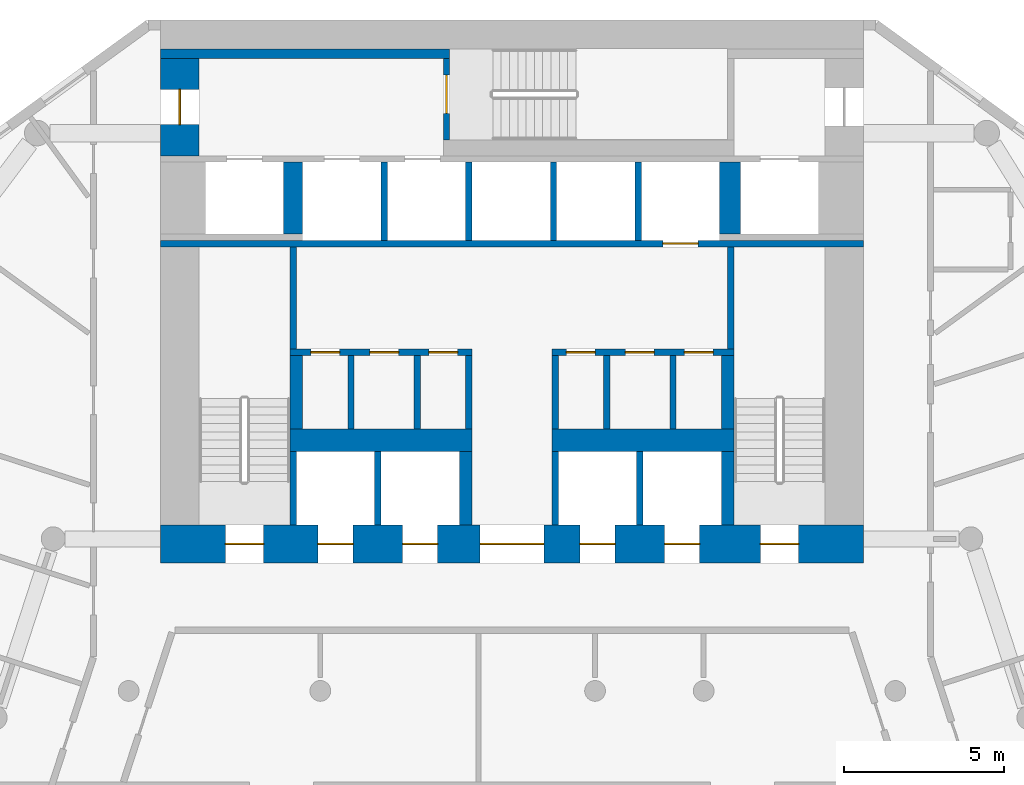
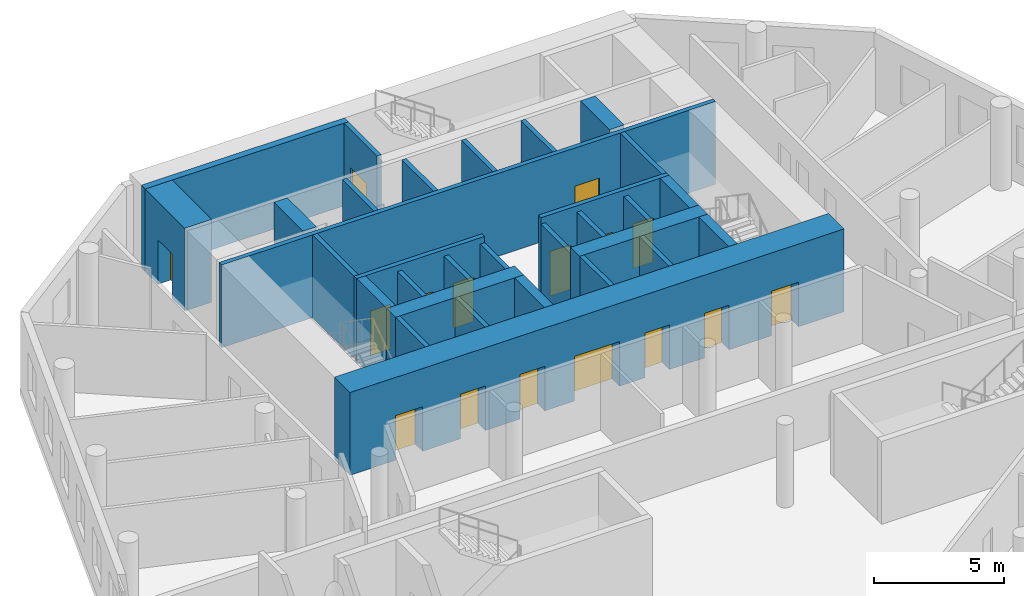
# One storey, part 5 of 9: 31 walls, 16 doors, 16 openings.
"""IFC4 building model written with IfcOpenShell, lengths in metres."""

from ifc_helpers import new_model, si_unit, direction, frame, frame_2d, origin, place, context, subcontext, project, spatial, rectangle, extrude, material, layer, layer_set, type_object, element, fill, save


model = new_model("IFC4")

# Units and contexts
model_context = context("Model", 3, precision=1e-05, world=origin(), true_north=direction((0.0, 1.0)))
body_context = subcontext(model_context, "Body", "Model", "MODEL_VIEW")
ifc_project = project(units=[si_unit("LENGTHUNIT", "METRE"), si_unit("AREAUNIT", "SQUARE_METRE"), si_unit("VOLUMEUNIT", "CUBIC_METRE"), si_unit("PLANEANGLEUNIT", "RADIAN"), si_unit("MASSUNIT", "GRAM", prefix="KILO")], contexts=[model_context])

# Site, building, storey
site_placement = place(None, origin())
site = spatial("IfcSite", under=ifc_project, at=site_placement, CompositionType="ELEMENT")
building_placement = place(site_placement, origin())
building = spatial("IfcBuilding", under=site, at=building_placement, Name="White Candle Pilgrim Tower", CompositionType="ELEMENT")
storey_placement = place(building_placement, frame((0.0, 0.0, 81.89990234375)))
storey = spatial("IfcBuildingStorey", under=building, at=storey_placement, Name="L17", CompositionType="ELEMENT", Elevation=81.89990234375)

# Wall, opening, door
ifc_material_1 = material(Name="Concrete C70/85", Category="concrete")
ifc_layer_1 = layer(ifc_material_1, 1.199951171875)
ifc_layer_set_1 = layer_set([ifc_layer_1], Name="Core wall 1200 mm Concrete C70/85")
wall_type_1 = type_object("IfcWallType", Name="Core wall 1200 mm Concrete C70/85", PredefinedType="SHEAR", material=ifc_layer_set_1)
wall_1_placement = place(storey_placement, frame((59.60009765625, 83.75, 0.0), z_axis=(0.0, 0.0, 1.0), x_axis=(0.0, 1.0, 0.0)))
wall_1 = element("IfcWall", 1, at=wall_1_placement, inside=storey, type_object=wall_type_1, Name="WL-L17-C46", PredefinedType="SHEAR", context=body_context, shape_type="SweptSolid", body=[
    extrude(rectangle(XDim=3.050048828125, YDim=1.199951171875, at=frame_2d((1.52490234375, 0.0))), origin(), (0.0, 0.0, 1.0), 3.900146484375),
])
opening_1_placement = place(wall_1_placement, frame((0.97509765625, 0.0, 0.0)))
opening_1 = element("IfcOpeningElement", 2, at=opening_1_placement, cuts=wall_1, Name="Opening T05-005", PredefinedType="OPENING", context=body_context, shape_type="SweptSolid", body=[
    extrude(rectangle(XDim=1.10009765625, YDim=2.10009765625, at=frame_2d((0.550048828125, 1.050048828125))), frame((0.0, 0.60986328125, 0.0), z_axis=(0.0, -1.0, 0.0), x_axis=(1.0, 0.0, 0.0)), (0.0, 0.0, 1.0), 1.219970703125),
])
ifc_material_2 = material(Name="Steel door leaf", Category="steel")
door_type_1 = type_object("IfcDoorType", Name="Fire door 1100 x 2100 EI 60", OperationType="NOTDEFINED", PredefinedType="DOOR", material=ifc_material_2)
door_1_placement = place(opening_1_placement, origin())
door_1 = element("IfcDoor", 3, at=door_1_placement, inside=storey, type_object=door_type_1, Name="Door T05-005", OperationType="SINGLE_SWING_LEFT", OverallHeight=2.10009765625, OverallWidth=1.10009765625, PredefinedType="DOOR", context=body_context, shape_type="SweptSolid", body=[
    extrude(rectangle(XDim=1.10009765625, YDim=2.10009765625, at=frame_2d((0.550048828125, 1.050048828125))), frame((0.0, 0.02490234375, 0.0), z_axis=(0.0, -1.0, 0.0), x_axis=(1.0, 0.0, 0.0)), (0.0, 0.0, 1.0), 0.050048828125),
])
fill(opening_1, door_1)

# Walls
ifc_material_3 = material(Name="Gypsum board on steel studs", Category="steel")
ifc_layer_2 = layer(ifc_material_3, 0.199951171875)
ifc_layer_set_2 = layer_set([ifc_layer_2], Name="Lobby wall 200 mm EI 60")
wall_type_2 = type_object("IfcWallType", Name="Lobby wall 200 mm EI 60", PredefinedType="PARTITIONING", material=ifc_layer_set_2)
for number, where, z_axis, x_axis, name in (
    (4, (64.9599609375, 75.199951171875, 0.0), (0.0, 0.0, 1.0), (0.0, 1.0, 0.0), "WL-L17-C23"),
    (5, (67.0400390625, 75.199951171875, 0.0), (0.0, 0.0, 1.0), (0.0, 1.0, 0.0), "WL-L17-C24"),
    (6, (68.64990234375, 75.199951171875, 0.0), (0.0, 0.0, 1.0), (0.0, 1.0, 0.0), "WL-L17-C25"),
    (7, (71.35009765625, 75.199951171875, 0.0), (0.0, 0.0, 1.0), (0.0, 1.0, 0.0), "WL-L17-C26"),
    (8, (72.9599609375, 75.199951171875, 0.0), (0.0, 0.0, 1.0), (0.0, 1.0, 0.0), "WL-L17-C27"),
    (9, (75.0400390625, 75.199951171875, 0.0), (0.0, 0.0, 1.0), (0.0, 1.0, 0.0), "WL-L17-C28"),
):
    element("IfcWall", number, at=place(storey_placement, frame(where, z_axis=z_axis, x_axis=x_axis)), inside=storey, type_object=wall_type_2, Name=name, PredefinedType="PARTITIONING", context=body_context, shape_type="SweptSolid", body=[
        extrude(rectangle(XDim=2.300048828125, YDim=0.199951171875, at=frame_2d((1.14990234375, 0.0))), origin(), (0.0, 0.0, 1.0), 3.60009765625),
    ])
ifc_layer_3 = layer(ifc_material_1, 0.199951171875)
ifc_layer_set_3 = layer_set([ifc_layer_3], Name="Shaft wall 200 mm Concrete C70/85")
wall_type_3 = type_object("IfcWallType", Name="Shaft wall 200 mm Concrete C70/85", PredefinedType="SHEAR", material=ifc_layer_set_3)
for number, where, z_axis, x_axis, name in (
    (10, (65.800048828125, 72.199951171875, 0.0), (0.0, 0.0, 1.0), (0.0, 1.0, 0.0), "WL-L17-C14"),
    (11, (71.35009765625, 72.199951171875, 0.0), (0.0, 0.0, 1.0), (0.0, 1.0, 0.0), "WL-L17-C16"),
    (12, (74.0, 72.199951171875, 0.0), (0.0, 0.0, 1.0), (0.0, 1.0, 0.0), "WL-L17-C17"),
):
    element("IfcWall", number, at=place(storey_placement, frame(where, z_axis=z_axis, x_axis=x_axis)), inside=storey, type_object=wall_type_3, Name=name, PredefinedType="SHEAR", context=body_context, shape_type="SweptSolid", body=[
        extrude(rectangle(XDim=2.300048828125, YDim=0.199951171875, at=frame_2d((1.14990234375, 0.0))), origin(), (0.0, 0.0, 1.0), 3.900146484375),
    ])
for number, where, z_axis, x_axis, name in (
    (13, (66.0, 81.10009765625, 0.0), (0.0, 0.0, 1.0), (0.0, 1.0, 0.0), "WL-L17-C36"),
    (14, (68.64990234375, 81.10009765625, 0.0), (0.0, 0.0, 1.0), (0.0, 1.0, 0.0), "WL-L17-C37"),
    (15, (71.300048828125, 81.10009765625, 0.0), (0.0, 0.0, 1.0), (0.0, 1.0, 0.0), "WL-L17-C38"),
    (16, (73.949951171875, 81.10009765625, 0.0), (0.0, 0.0, 1.0), (0.0, 1.0, 0.0), "WL-L17-C39"),
):
    element("IfcWall", number, at=place(storey_placement, frame(where, z_axis=z_axis, x_axis=x_axis)), inside=storey, type_object=wall_type_3, Name=name, PredefinedType="SHEAR", context=body_context, shape_type="SweptSolid", body=[
        extrude(rectangle(XDim=2.449951171875, YDim=0.199951171875, at=frame_2d((1.22509765625, 0.0))), origin(), (0.0, 0.0, 1.0), 3.900146484375),
    ])
ifc_layer_4 = layer(ifc_material_1, 0.39990234375)
ifc_layer_set_4 = layer_set([ifc_layer_4], Name="Shaft wall 400 mm Concrete C70/85")
wall_type_4 = type_object("IfcWallType", Name="Shaft wall 400 mm Concrete C70/85", PredefinedType="SHEAR", material=ifc_layer_set_4)
wall_2_placement = place(storey_placement, frame((68.550048828125, 72.199951171875, 0.0), z_axis=(0.0, 0.0, 1.0), x_axis=(0.0, 1.0, 0.0)))
element("IfcWall", 17, at=wall_2_placement, inside=storey, type_object=wall_type_4, Name="WL-L17-C15", PredefinedType="SHEAR", context=body_context, shape_type="SweptSolid", body=[
    extrude(rectangle(XDim=2.300048828125, YDim=0.39990234375, at=frame_2d((1.14990234375, 0.0))), origin(), (0.0, 0.0, 1.0), 3.900146484375),
])
ifc_layer_5 = layer(ifc_material_1, 0.60009765625)
ifc_layer_set_5 = layer_set([ifc_layer_5], Name="Shaft wall 600 mm Concrete C70/85")
wall_type_5 = type_object("IfcWallType", Name="Shaft wall 600 mm Concrete C70/85", PredefinedType="SHEAR", material=ifc_layer_set_5)
wall_3_placement = place(storey_placement, frame((63.14990234375, 81.300048828125, 0.0), z_axis=(0.0, 0.0, 1.0), x_axis=(0.0, 1.0, 0.0)))
element("IfcWall", 18, at=wall_3_placement, inside=storey, type_object=wall_type_5, Name="WL-L17-C42", PredefinedType="SHEAR", context=body_context, shape_type="SweptSolid", body=[
    extrude(rectangle(XDim=2.25, YDim=0.60009765625, at=frame_2d((1.125, 0.0))), origin(), (0.0, 0.0, 1.0), 3.900146484375),
])
ifc_layer_6 = layer(ifc_material_1, 0.64990234375)
ifc_layer_set_6 = layer_set([ifc_layer_6], Name="Shaft wall 650 mm Concrete C70/85")
wall_type_6 = type_object("IfcWallType", Name="Shaft wall 650 mm Concrete C70/85", PredefinedType="SHEAR", material=ifc_layer_set_6)
wall_4_placement = place(storey_placement, frame((76.824951171875, 81.300048828125, 0.0), z_axis=(0.0, 0.0, 1.0), x_axis=(0.0, 1.0, 0.0)))
element("IfcWall", 19, at=wall_4_placement, inside=storey, type_object=wall_type_6, Name="WL-L17-C43", PredefinedType="SHEAR", context=body_context, shape_type="SweptSolid", body=[
    extrude(rectangle(XDim=2.25, YDim=0.64990234375, at=frame_2d((1.125, 0.0))), origin(), (0.0, 0.0, 1.0), 3.900146484375),
])

# Wall, openings, doors
ifc_layer_7 = layer(ifc_material_1, 1.199951171875)
ifc_layer_set_7 = layer_set([ifc_layer_7], Name="Stair shaft wall 1200 mm Concrete C70/85")
wall_type_7 = type_object("IfcWallType", Name="Stair shaft wall 1200 mm Concrete C70/85", PredefinedType="SHEAR", material=ifc_layer_set_7)
wall_5_placement = place(storey_placement, frame((59.0, 71.60009765625, 0.0), z_axis=(0.0, 0.0, 1.0), x_axis=(1.0, 0.0, 0.0)))
wall_5 = element("IfcWall", 20, at=wall_5_placement, inside=storey, type_object=wall_type_7, Name="WL-L17-C11", PredefinedType="SHEAR", context=body_context, shape_type="SweptSolid", body=[
    extrude(rectangle(XDim=22.0, YDim=1.199951171875, at=frame_2d((11.0, 0.0))), origin(), (0.0, 0.0, 1.0), 3.900146484375),
])
opening_2_placement = place(wall_5_placement, frame((2.02490234375, 0.0, 0.0)))
opening_2 = element("IfcOpeningElement", 21, at=opening_2_placement, cuts=wall_5, Name="Opening T05-001", PredefinedType="OPENING", context=body_context, shape_type="SweptSolid", body=[
    extrude(rectangle(XDim=1.199951171875, YDim=2.10009765625, at=frame_2d((0.60009765625, 1.050048828125))), frame((0.0, 0.60986328125, 0.0), z_axis=(0.0, -1.0, 0.0), x_axis=(1.0, 0.0, 0.0)), (0.0, 0.0, 1.0), 1.219970703125),
])
opening_3_placement = place(wall_5_placement, frame((18.77490234375, 0.0, 0.0)))
opening_3 = element("IfcOpeningElement", 22, at=opening_3_placement, cuts=wall_5, Name="Opening T05-002", PredefinedType="OPENING", context=body_context, shape_type="SweptSolid", body=[
    extrude(rectangle(XDim=1.199951171875, YDim=2.10009765625, at=frame_2d((0.60009765625, 1.050048828125))), frame((0.0, 0.60986328125, 0.0), z_axis=(0.0, -1.0, 0.0), x_axis=(1.0, 0.0, 0.0)), (0.0, 0.0, 1.0), 1.219970703125),
])
opening_4_placement = place(wall_5_placement, frame((10.0, 0.0, 0.0)))
opening_4 = element("IfcOpeningElement", 23, at=opening_4_placement, cuts=wall_5, Name="Opening T05-004", PredefinedType="OPENING", context=body_context, shape_type="SweptSolid", body=[
    extrude(rectangle(XDim=2.0, YDim=2.10009765625, at=frame_2d((1.0, 1.050048828125))), frame((0.0, 0.60986328125, 0.0), z_axis=(0.0, -1.0, 0.0), x_axis=(1.0, 0.0, 0.0)), (0.0, 0.0, 1.0), 1.219970703125),
])
opening_5_placement = place(wall_5_placement, frame((4.925048828125, 0.0, 0.0)))
opening_5 = element("IfcOpeningElement", 24, at=opening_5_placement, cuts=wall_5, Name="Opening T05-014", PredefinedType="OPENING", context=body_context, shape_type="SweptSolid", body=[
    extrude(rectangle(XDim=1.10009765625, YDim=2.10009765625, at=frame_2d((0.550048828125, 1.050048828125))), frame((0.0, 0.60986328125, 0.0), z_axis=(0.0, -1.0, 0.0), x_axis=(1.0, 0.0, 0.0)), (0.0, 0.0, 1.0), 1.219970703125),
])
opening_6_placement = place(wall_5_placement, frame((7.574951171875, 0.0, 0.0)))
opening_6 = element("IfcOpeningElement", 25, at=opening_6_placement, cuts=wall_5, Name="Opening T05-015", PredefinedType="OPENING", context=body_context, shape_type="SweptSolid", body=[
    extrude(rectangle(XDim=1.10009765625, YDim=2.10009765625, at=frame_2d((0.550048828125, 1.050048828125))), frame((0.0, 0.60986328125, 0.0), z_axis=(0.0, -1.0, 0.0), x_axis=(1.0, 0.0, 0.0)), (0.0, 0.0, 1.0), 1.219970703125),
])
opening_7_placement = place(wall_5_placement, frame((13.125, 0.0, 0.0)))
opening_7 = element("IfcOpeningElement", 26, at=opening_7_placement, cuts=wall_5, Name="Opening T05-016", PredefinedType="OPENING", context=body_context, shape_type="SweptSolid", body=[
    extrude(rectangle(XDim=1.10009765625, YDim=2.10009765625, at=frame_2d((0.550048828125, 1.050048828125))), frame((0.0, 0.60986328125, 0.0), z_axis=(0.0, -1.0, 0.0), x_axis=(1.0, 0.0, 0.0)), (0.0, 0.0, 1.0), 1.219970703125),
])
opening_8_placement = place(wall_5_placement, frame((15.77490234375, 0.0, 0.0)))
opening_8 = element("IfcOpeningElement", 27, at=opening_8_placement, cuts=wall_5, Name="Opening T05-017", PredefinedType="OPENING", context=body_context, shape_type="SweptSolid", body=[
    extrude(rectangle(XDim=1.10009765625, YDim=2.10009765625, at=frame_2d((0.550048828125, 1.050048828125))), frame((0.0, 0.60986328125, 0.0), z_axis=(0.0, -1.0, 0.0), x_axis=(1.0, 0.0, 0.0)), (0.0, 0.0, 1.0), 1.219970703125),
])
door_type_2 = type_object("IfcDoorType", Name="Fire door 1200 x 2100 EI 60", OperationType="NOTDEFINED", PredefinedType="DOOR", material=ifc_material_2)
door_2_placement = place(opening_2_placement, frame((1.199951171875, 0.0, 0.0), z_axis=(0.0, 0.0, 1.0), x_axis=(-1.0, 0.0, 0.0)))
door_2 = element("IfcDoor", 28, at=door_2_placement, inside=storey, type_object=door_type_2, Name="Door T05-001", OperationType="SINGLE_SWING_RIGHT", OverallHeight=2.10009765625, OverallWidth=1.199951171875, PredefinedType="DOOR", context=body_context, shape_type="SweptSolid", body=[
    extrude(rectangle(XDim=1.199951171875, YDim=2.10009765625, at=frame_2d((0.60009765625, 1.050048828125))), frame((0.0, 0.02490234375, 0.0), z_axis=(0.0, -1.0, 0.0), x_axis=(1.0, 0.0, 0.0)), (0.0, 0.0, 1.0), 0.050048828125),
])
fill(opening_2, door_2)
door_3_placement = place(opening_3_placement, frame((1.199951171875, 0.0, 0.0), z_axis=(0.0, 0.0, 1.0), x_axis=(-1.0, 0.0, 0.0)))
door_3 = element("IfcDoor", 29, at=door_3_placement, inside=storey, type_object=door_type_2, Name="Door T05-002", OperationType="SINGLE_SWING_LEFT", OverallHeight=2.10009765625, OverallWidth=1.199951171875, PredefinedType="DOOR", context=body_context, shape_type="SweptSolid", body=[
    extrude(rectangle(XDim=1.199951171875, YDim=2.10009765625, at=frame_2d((0.60009765625, 1.050048828125))), frame((0.0, 0.02490234375, 0.0), z_axis=(0.0, -1.0, 0.0), x_axis=(1.0, 0.0, 0.0)), (0.0, 0.0, 1.0), 0.050048828125),
])
fill(opening_3, door_3)
door_type_3 = type_object("IfcDoorType", Name="Fire door 2000 x 2100 EI 60", OperationType="NOTDEFINED", PredefinedType="DOOR", material=ifc_material_2)
door_4_placement = place(opening_4_placement, frame((2.0, 0.0, 0.0), z_axis=(0.0, 0.0, 1.0), x_axis=(-1.0, 0.0, 0.0)))
door_4 = element("IfcDoor", 30, at=door_4_placement, inside=storey, type_object=door_type_3, Name="Door T05-004", OperationType="DOUBLE_DOOR_SINGLE_SWING", OverallHeight=2.10009765625, OverallWidth=2.0, PredefinedType="DOOR", context=body_context, shape_type="SweptSolid", body=[
    extrude(rectangle(XDim=2.0, YDim=2.10009765625, at=frame_2d((1.0, 1.050048828125))), frame((0.0, 0.02490234375, 0.0), z_axis=(0.0, -1.0, 0.0), x_axis=(1.0, 0.0, 0.0)), (0.0, 0.0, 1.0), 0.050048828125),
])
fill(opening_4, door_4)
ifc_material_4 = material(Name="Stainless steel", Category="steel")
door_type_4 = type_object("IfcDoorType", Name="Lift landing door 1100 x 2100 E 60", OperationType="DOUBLE_DOOR_SLIDING", PredefinedType="DOOR", material=ifc_material_4)
door_5_placement = place(opening_5_placement, origin())
door_5 = element("IfcDoor", 31, at=door_5_placement, inside=storey, type_object=door_type_4, Name="Door T05-014", OperationType="DOUBLE_DOOR_SLIDING", OverallHeight=2.10009765625, OverallWidth=1.10009765625, PredefinedType="DOOR", context=body_context, shape_type="SweptSolid", body=[
    extrude(rectangle(XDim=1.10009765625, YDim=2.10009765625, at=frame_2d((0.550048828125, 1.050048828125))), frame((0.0, 0.02490234375, 0.0), z_axis=(0.0, -1.0, 0.0), x_axis=(1.0, 0.0, 0.0)), (0.0, 0.0, 1.0), 0.050048828125),
])
fill(opening_5, door_5)
door_6_placement = place(opening_6_placement, origin())
door_6 = element("IfcDoor", 32, at=door_6_placement, inside=storey, type_object=door_type_4, Name="Door T05-015", OperationType="DOUBLE_DOOR_SLIDING", OverallHeight=2.10009765625, OverallWidth=1.10009765625, PredefinedType="DOOR", context=body_context, shape_type="SweptSolid", body=[
    extrude(rectangle(XDim=1.10009765625, YDim=2.10009765625, at=frame_2d((0.550048828125, 1.050048828125))), frame((0.0, 0.02490234375, 0.0), z_axis=(0.0, -1.0, 0.0), x_axis=(1.0, 0.0, 0.0)), (0.0, 0.0, 1.0), 0.050048828125),
])
fill(opening_6, door_6)
door_7_placement = place(opening_7_placement, origin())
door_7 = element("IfcDoor", 33, at=door_7_placement, inside=storey, type_object=door_type_4, Name="Door T05-016", OperationType="DOUBLE_DOOR_SLIDING", OverallHeight=2.10009765625, OverallWidth=1.10009765625, PredefinedType="DOOR", context=body_context, shape_type="SweptSolid", body=[
    extrude(rectangle(XDim=1.10009765625, YDim=2.10009765625, at=frame_2d((0.550048828125, 1.050048828125))), frame((0.0, 0.02490234375, 0.0), z_axis=(0.0, -1.0, 0.0), x_axis=(1.0, 0.0, 0.0)), (0.0, 0.0, 1.0), 0.050048828125),
])
fill(opening_7, door_7)
door_8_placement = place(opening_8_placement, origin())
door_8 = element("IfcDoor", 34, at=door_8_placement, inside=storey, type_object=door_type_4, Name="Door T05-017", OperationType="DOUBLE_DOOR_SLIDING", OverallHeight=2.10009765625, OverallWidth=1.10009765625, PredefinedType="DOOR", context=body_context, shape_type="SweptSolid", body=[
    extrude(rectangle(XDim=1.10009765625, YDim=2.10009765625, at=frame_2d((0.550048828125, 1.050048828125))), frame((0.0, 0.02490234375, 0.0), z_axis=(0.0, -1.0, 0.0), x_axis=(1.0, 0.0, 0.0)), (0.0, 0.0, 1.0), 0.050048828125),
])
fill(opening_8, door_8)

# Wall
ifc_layer_8 = layer(ifc_material_1, 0.199951171875)
ifc_layer_set_8 = layer_set([ifc_layer_8], Name="Stair shaft wall 200 mm Concrete C70/85")
wall_type_8 = type_object("IfcWallType", Name="Stair shaft wall 200 mm Concrete C70/85", PredefinedType="SHEAR", material=ifc_layer_set_8)
wall_6_placement = place(storey_placement, frame((63.14990234375, 72.199951171875, 0.0), z_axis=(0.0, 0.0, 1.0), x_axis=(0.0, 1.0, 0.0)))
element("IfcWall", 35, at=wall_6_placement, inside=storey, type_object=wall_type_8, Name="WL-L17-C13", PredefinedType="SHEAR", context=body_context, shape_type="SweptSolid", body=[
    extrude(rectangle(XDim=2.300048828125, YDim=0.199951171875, at=frame_2d((1.14990234375, 0.0))), origin(), (0.0, 0.0, 1.0), 3.900146484375),
])

# Wall, openings, doors
wall_7_placement = place(storey_placement, frame((63.050048828125, 77.60009765625, 0.0), z_axis=(0.0, 0.0, 1.0), x_axis=(1.0, 0.0, 0.0)))
wall_7 = element("IfcWall", 36, at=wall_7_placement, inside=storey, type_object=wall_type_8, Name="WL-L17-C30", PredefinedType="SHEAR", context=body_context, shape_type="SweptSolid", body=[
    extrude(rectangle(XDim=5.699951171875, YDim=0.199951171875, at=frame_2d((2.85009765625, 0.0))), origin(), (0.0, 0.0, 1.0), 3.900146484375),
])
opening_9_placement = place(wall_7_placement, frame((0.655029296875, 0.0, 0.0)))
opening_9 = element("IfcOpeningElement", 37, at=opening_9_placement, cuts=wall_7, Name="Opening T05-020", PredefinedType="OPENING", context=body_context, shape_type="SweptSolid", body=[
    extrude(rectangle(XDim=0.89990234375, YDim=2.10009765625, at=frame_2d((0.449951171875, 1.050048828125))), frame((0.0, 0.10986328125, 0.0), z_axis=(0.0, -1.0, 0.0), x_axis=(1.0, 0.0, 0.0)), (0.0, 0.0, 1.0), 0.219970703125),
])
opening_10_placement = place(wall_7_placement, frame((2.5, 0.0, 0.0)))
opening_10 = element("IfcOpeningElement", 38, at=opening_10_placement, cuts=wall_7, Name="Opening T05-021", PredefinedType="OPENING", context=body_context, shape_type="SweptSolid", body=[
    extrude(rectangle(XDim=0.89990234375, YDim=2.10009765625, at=frame_2d((0.449951171875, 1.050048828125))), frame((0.0, 0.10986328125, 0.0), z_axis=(0.0, -1.0, 0.0), x_axis=(1.0, 0.0, 0.0)), (0.0, 0.0, 1.0), 0.219970703125),
])
opening_11_placement = place(wall_7_placement, frame((4.344970703125, 0.0, 0.0)))
opening_11 = element("IfcOpeningElement", 39, at=opening_11_placement, cuts=wall_7, Name="Opening T05-022", PredefinedType="OPENING", context=body_context, shape_type="SweptSolid", body=[
    extrude(rectangle(XDim=0.89990234375, YDim=2.10009765625, at=frame_2d((0.449951171875, 1.050048828125))), frame((0.0, 0.10986328125, 0.0), z_axis=(0.0, -1.0, 0.0), x_axis=(1.0, 0.0, 0.0)), (0.0, 0.0, 1.0), 0.219970703125),
])
door_type_5 = type_object("IfcDoorType", Name="Fire door 900 x 2100 EI 30", OperationType="NOTDEFINED", PredefinedType="DOOR", material=ifc_material_2)
door_9_placement = place(opening_9_placement, origin())
door_9 = element("IfcDoor", 40, at=door_9_placement, inside=storey, type_object=door_type_5, Name="Door T05-020", OperationType="SINGLE_SWING_RIGHT", OverallHeight=2.10009765625, OverallWidth=0.89990234375, PredefinedType="DOOR", context=body_context, shape_type="SweptSolid", body=[
    extrude(rectangle(XDim=0.89990234375, YDim=2.10009765625, at=frame_2d((0.449951171875, 1.050048828125))), frame((0.0, 0.02490234375, 0.0), z_axis=(0.0, -1.0, 0.0), x_axis=(1.0, 0.0, 0.0)), (0.0, 0.0, 1.0), 0.050048828125),
])
fill(opening_9, door_9)
door_10_placement = place(opening_10_placement, origin())
door_10 = element("IfcDoor", 41, at=door_10_placement, inside=storey, type_object=door_type_5, Name="Door T05-021", OperationType="SINGLE_SWING_LEFT", OverallHeight=2.10009765625, OverallWidth=0.89990234375, PredefinedType="DOOR", context=body_context, shape_type="SweptSolid", body=[
    extrude(rectangle(XDim=0.89990234375, YDim=2.10009765625, at=frame_2d((0.449951171875, 1.050048828125))), frame((0.0, 0.02490234375, 0.0), z_axis=(0.0, -1.0, 0.0), x_axis=(1.0, 0.0, 0.0)), (0.0, 0.0, 1.0), 0.050048828125),
])
fill(opening_10, door_10)
door_11_placement = place(opening_11_placement, origin())
door_11 = element("IfcDoor", 42, at=door_11_placement, inside=storey, type_object=door_type_5, Name="Door T05-022", OperationType="SINGLE_SWING_RIGHT", OverallHeight=2.10009765625, OverallWidth=0.89990234375, PredefinedType="DOOR", context=body_context, shape_type="SweptSolid", body=[
    extrude(rectangle(XDim=0.89990234375, YDim=2.10009765625, at=frame_2d((0.449951171875, 1.050048828125))), frame((0.0, 0.02490234375, 0.0), z_axis=(0.0, -1.0, 0.0), x_axis=(1.0, 0.0, 0.0)), (0.0, 0.0, 1.0), 0.050048828125),
])
fill(opening_11, door_11)

wall_8_placement = place(storey_placement, frame((71.25, 77.60009765625, 0.0), z_axis=(0.0, 0.0, 1.0), x_axis=(1.0, 0.0, 0.0)))
wall_8 = element("IfcWall", 43, at=wall_8_placement, inside=storey, type_object=wall_type_8, Name="WL-L17-C31", PredefinedType="SHEAR", context=body_context, shape_type="SweptSolid", body=[
    extrude(rectangle(XDim=5.699951171875, YDim=0.199951171875, at=frame_2d((2.85009765625, 0.0))), origin(), (0.0, 0.0, 1.0), 3.900146484375),
])
opening_12_placement = place(wall_8_placement, frame((0.455078125, 0.0, 0.0)))
opening_12 = element("IfcOpeningElement", 44, at=opening_12_placement, cuts=wall_8, Name="Opening T05-023", PredefinedType="OPENING", context=body_context, shape_type="SweptSolid", body=[
    extrude(rectangle(XDim=0.89990234375, YDim=2.10009765625, at=frame_2d((0.449951171875, 1.050048828125))), frame((0.0, 0.10986328125, 0.0), z_axis=(0.0, -1.0, 0.0), x_axis=(1.0, 0.0, 0.0)), (0.0, 0.0, 1.0), 0.219970703125),
])
opening_13_placement = place(wall_8_placement, frame((2.300048828125, 0.0, 0.0)))
opening_13 = element("IfcOpeningElement", 45, at=opening_13_placement, cuts=wall_8, Name="Opening T05-024", PredefinedType="OPENING", context=body_context, shape_type="SweptSolid", body=[
    extrude(rectangle(XDim=0.89990234375, YDim=2.10009765625, at=frame_2d((0.449951171875, 1.050048828125))), frame((0.0, 0.10986328125, 0.0), z_axis=(0.0, -1.0, 0.0), x_axis=(1.0, 0.0, 0.0)), (0.0, 0.0, 1.0), 0.219970703125),
])
opening_14_placement = place(wall_8_placement, frame((4.14501953125, 0.0, 0.0)))
opening_14 = element("IfcOpeningElement", 46, at=opening_14_placement, cuts=wall_8, Name="Opening T05-025", PredefinedType="OPENING", context=body_context, shape_type="SweptSolid", body=[
    extrude(rectangle(XDim=0.89990234375, YDim=2.10009765625, at=frame_2d((0.449951171875, 1.050048828125))), frame((0.0, 0.10986328125, 0.0), z_axis=(0.0, -1.0, 0.0), x_axis=(1.0, 0.0, 0.0)), (0.0, 0.0, 1.0), 0.219970703125),
])
door_12_placement = place(opening_12_placement, origin())
door_12 = element("IfcDoor", 47, at=door_12_placement, inside=storey, type_object=door_type_5, Name="Door T05-023", OperationType="SINGLE_SWING_LEFT", OverallHeight=2.10009765625, OverallWidth=0.89990234375, PredefinedType="DOOR", context=body_context, shape_type="SweptSolid", body=[
    extrude(rectangle(XDim=0.89990234375, YDim=2.10009765625, at=frame_2d((0.449951171875, 1.050048828125))), frame((0.0, 0.02490234375, 0.0), z_axis=(0.0, -1.0, 0.0), x_axis=(1.0, 0.0, 0.0)), (0.0, 0.0, 1.0), 0.050048828125),
])
fill(opening_12, door_12)
door_13_placement = place(opening_13_placement, origin())
door_13 = element("IfcDoor", 48, at=door_13_placement, inside=storey, type_object=door_type_5, Name="Door T05-024", OperationType="SINGLE_SWING_RIGHT", OverallHeight=2.10009765625, OverallWidth=0.89990234375, PredefinedType="DOOR", context=body_context, shape_type="SweptSolid", body=[
    extrude(rectangle(XDim=0.89990234375, YDim=2.10009765625, at=frame_2d((0.449951171875, 1.050048828125))), frame((0.0, 0.02490234375, 0.0), z_axis=(0.0, -1.0, 0.0), x_axis=(1.0, 0.0, 0.0)), (0.0, 0.0, 1.0), 0.050048828125),
])
fill(opening_13, door_13)
door_14_placement = place(opening_14_placement, origin())
door_14 = element("IfcDoor", 49, at=door_14_placement, inside=storey, type_object=door_type_5, Name="Door T05-025", OperationType="SINGLE_SWING_LEFT", OverallHeight=2.10009765625, OverallWidth=0.89990234375, PredefinedType="DOOR", context=body_context, shape_type="SweptSolid", body=[
    extrude(rectangle(XDim=0.89990234375, YDim=2.10009765625, at=frame_2d((0.449951171875, 1.050048828125))), frame((0.0, 0.02490234375, 0.0), z_axis=(0.0, -1.0, 0.0), x_axis=(1.0, 0.0, 0.0)), (0.0, 0.0, 1.0), 0.050048828125),
])
fill(opening_14, door_14)

# Walls
for number, where, z_axis, x_axis, name in (
    (50, (63.14990234375, 77.699951171875, 0.0), (0.0, 0.0, 1.0), (0.0, 1.0, 0.0), "WL-L17-C32"),
    (51, (76.85009765625, 77.699951171875, 0.0), (0.0, 0.0, 1.0), (0.0, 1.0, 0.0), "WL-L17-C33"),
):
    element("IfcWall", number, at=place(storey_placement, frame(where, z_axis=z_axis, x_axis=x_axis)), inside=storey, type_object=wall_type_8, Name=name, PredefinedType="SHEAR", context=body_context, shape_type="SweptSolid", body=[
        extrude(rectangle(XDim=3.199951171875, YDim=0.199951171875, at=frame_2d((1.60009765625, 0.0))), origin(), (0.0, 0.0, 1.0), 3.900146484375),
    ])

# Wall, opening, door
wall_9_placement = place(storey_placement, frame((59.0, 81.0, 0.0), z_axis=(0.0, 0.0, 1.0), x_axis=(1.0, 0.0, 0.0)))
wall_9 = element("IfcWall", 52, at=wall_9_placement, inside=storey, type_object=wall_type_8, Name="WL-L17-C34", PredefinedType="SHEAR", context=body_context, shape_type="SweptSolid", body=[
    extrude(rectangle(XDim=22.0, YDim=0.199951171875, at=frame_2d((11.0, 0.0))), origin(), (0.0, 0.0, 1.0), 3.900146484375),
])
opening_15_placement = place(wall_9_placement, frame((15.72509765625, 0.0, 0.0)))
opening_15 = element("IfcOpeningElement", 53, at=opening_15_placement, cuts=wall_9, Name="Opening T05-013", PredefinedType="OPENING", context=body_context, shape_type="SweptSolid", body=[
    extrude(rectangle(XDim=1.10009765625, YDim=2.10009765625, at=frame_2d((0.550048828125, 1.050048828125))), frame((0.0, 0.10986328125, 0.0), z_axis=(0.0, -1.0, 0.0), x_axis=(1.0, 0.0, 0.0)), (0.0, 0.0, 1.0), 0.219970703125),
])
door_15_placement = place(opening_15_placement, origin())
door_15 = element("IfcDoor", 54, at=door_15_placement, inside=storey, type_object=door_type_4, Name="Door T05-013", OperationType="DOUBLE_DOOR_SLIDING", OverallHeight=2.10009765625, OverallWidth=1.10009765625, PredefinedType="DOOR", context=body_context, shape_type="SweptSolid", body=[
    extrude(rectangle(XDim=1.10009765625, YDim=2.10009765625, at=frame_2d((0.550048828125, 1.050048828125))), frame((0.0, 0.02490234375, 0.0), z_axis=(0.0, -1.0, 0.0), x_axis=(1.0, 0.0, 0.0)), (0.0, 0.0, 1.0), 0.050048828125),
])
fill(opening_15, door_15)

wall_10_placement = place(storey_placement, frame((67.949951171875, 84.25, 0.0), z_axis=(0.0, 0.0, 1.0), x_axis=(0.0, 1.0, 0.0)))
wall_10 = element("IfcWall", 55, at=wall_10_placement, inside=storey, type_object=wall_type_8, Name="WL-L17-C49", PredefinedType="SHEAR", context=body_context, shape_type="SweptSolid", body=[
    extrude(rectangle(XDim=2.550048828125, YDim=0.199951171875, at=frame_2d((1.27490234375, 0.0))), origin(), (0.0, 0.0, 1.0), 3.900146484375),
])
opening_16_placement = place(wall_10_placement, frame((0.824951171875, 0.0, 0.0)))
opening_16 = element("IfcOpeningElement", 56, at=opening_16_placement, cuts=wall_10, Name="Opening T05-003", PredefinedType="OPENING", context=body_context, shape_type="SweptSolid", body=[
    extrude(rectangle(XDim=1.199951171875, YDim=2.10009765625, at=frame_2d((0.60009765625, 1.050048828125))), frame((0.0, 0.10986328125, 0.0), z_axis=(0.0, -1.0, 0.0), x_axis=(1.0, 0.0, 0.0)), (0.0, 0.0, 1.0), 0.219970703125),
])
door_16_placement = place(opening_16_placement, frame((1.199951171875, 0.0, 0.0), z_axis=(0.0, 0.0, 1.0), x_axis=(-1.0, 0.0, 0.0)))
door_16 = element("IfcDoor", 57, at=door_16_placement, inside=storey, type_object=door_type_2, Name="Door T05-003", OperationType="SINGLE_SWING_RIGHT", OverallHeight=2.10009765625, OverallWidth=1.199951171875, PredefinedType="DOOR", context=body_context, shape_type="SweptSolid", body=[
    extrude(rectangle(XDim=1.199951171875, YDim=2.10009765625, at=frame_2d((0.60009765625, 1.050048828125))), frame((0.0, 0.02490234375, 0.0), z_axis=(0.0, -1.0, 0.0), x_axis=(1.0, 0.0, 0.0)), (0.0, 0.0, 1.0), 0.050048828125),
])
fill(opening_16, door_16)

# Walls
ifc_layer_9 = layer(ifc_material_1, 0.300048828125)
ifc_layer_set_9 = layer_set([ifc_layer_9], Name="Stair shaft wall 300 mm Concrete C70/85")
wall_type_9 = type_object("IfcWallType", Name="Stair shaft wall 300 mm Concrete C70/85", PredefinedType="SHEAR", material=ifc_layer_set_9)
wall_11_placement = place(storey_placement, frame((59.0, 86.949951171875, 0.0), z_axis=(0.0, 0.0, 1.0), x_axis=(1.0, 0.0, 0.0)))
element("IfcWall", 58, at=wall_11_placement, inside=storey, type_object=wall_type_9, Name="WL-L17-C51", PredefinedType="SHEAR", context=body_context, shape_type="SweptSolid", body=[
    extrude(rectangle(XDim=9.050048828125, YDim=0.300048828125, at=frame_2d((4.52490234375, 0.0))), origin(), (0.0, 0.0, 1.0), 3.900146484375),
])
ifc_layer_10 = layer(ifc_material_1, 0.39990234375)
ifc_layer_set_10 = layer_set([ifc_layer_10], Name="Stair shaft wall 400 mm Concrete C70/85")
wall_type_10 = type_object("IfcWallType", Name="Stair shaft wall 400 mm Concrete C70/85", PredefinedType="SHEAR", material=ifc_layer_set_10)
for number, where, z_axis, x_axis, name in (
    (59, (76.75, 72.199951171875, 0.0), (0.0, 0.0, 1.0), (0.0, 1.0, 0.0), "WL-L17-C18"),
    (60, (63.25, 75.199951171875, 0.0), (0.0, 0.0, 1.0), (0.0, 1.0, 0.0), "WL-L17-C22"),
    (61, (76.75, 75.199951171875, 0.0), (0.0, 0.0, 1.0), (0.0, 1.0, 0.0), "WL-L17-C29"),
):
    element("IfcWall", number, at=place(storey_placement, frame(where, z_axis=z_axis, x_axis=x_axis)), inside=storey, type_object=wall_type_10, Name=name, PredefinedType="SHEAR", context=body_context, shape_type="SweptSolid", body=[
        extrude(rectangle(XDim=2.300048828125, YDim=0.39990234375, at=frame_2d((1.14990234375, 0.0))), origin(), (0.0, 0.0, 1.0), 3.900146484375),
    ])
ifc_layer_11 = layer(ifc_material_1, 0.699951171875)
ifc_layer_set_11 = layer_set([ifc_layer_11], Name="Stair shaft wall 700 mm Concrete C70/85")
wall_type_11 = type_object("IfcWallType", Name="Stair shaft wall 700 mm Concrete C70/85", PredefinedType="SHEAR", material=ifc_layer_set_11)
for number, where, z_axis, x_axis, name in (
    (62, (63.050048828125, 74.85009765625, 0.0), (0.0, 0.0, 1.0), (1.0, 0.0, 0.0), "WL-L17-C20"),
    (63, (71.25, 74.85009765625, 0.0), (0.0, 0.0, 1.0), (1.0, 0.0, 0.0), "WL-L17-C21"),
):
    element("IfcWall", number, at=place(storey_placement, frame(where, z_axis=z_axis, x_axis=x_axis)), inside=storey, type_object=wall_type_11, Name=name, PredefinedType="SHEAR", context=body_context, shape_type="SweptSolid", body=[
        extrude(rectangle(XDim=5.699951171875, YDim=0.699951171875, at=frame_2d((2.85009765625, 0.0))), origin(), (0.0, 0.0, 1.0), 3.900146484375),
    ])

save(model, "model.ifc")
